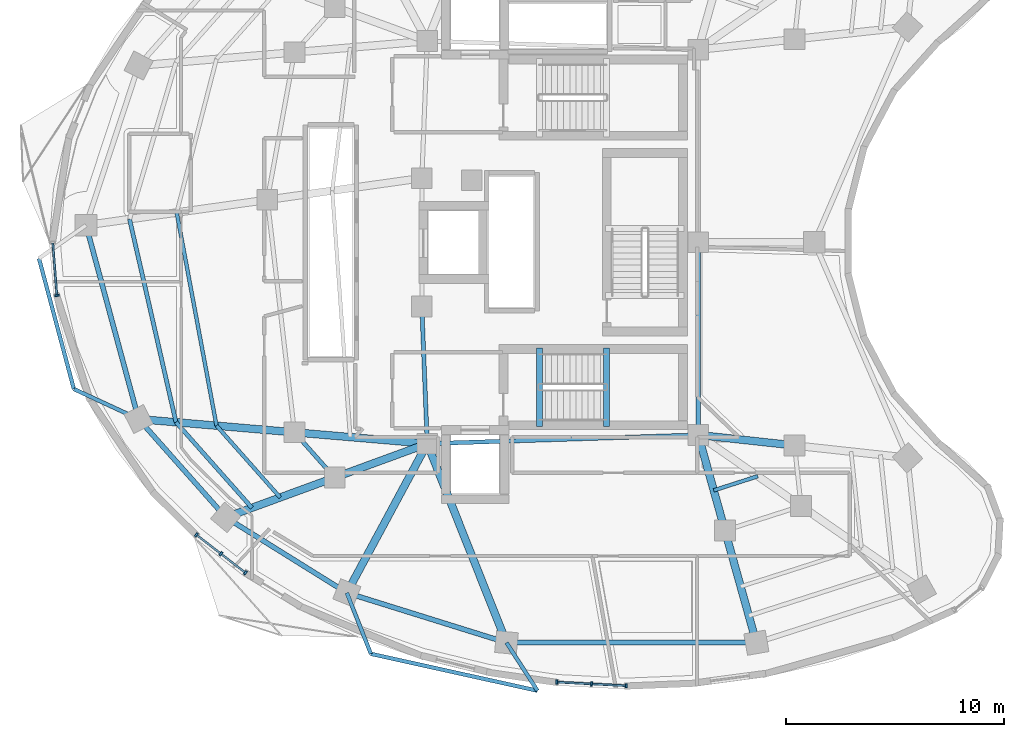
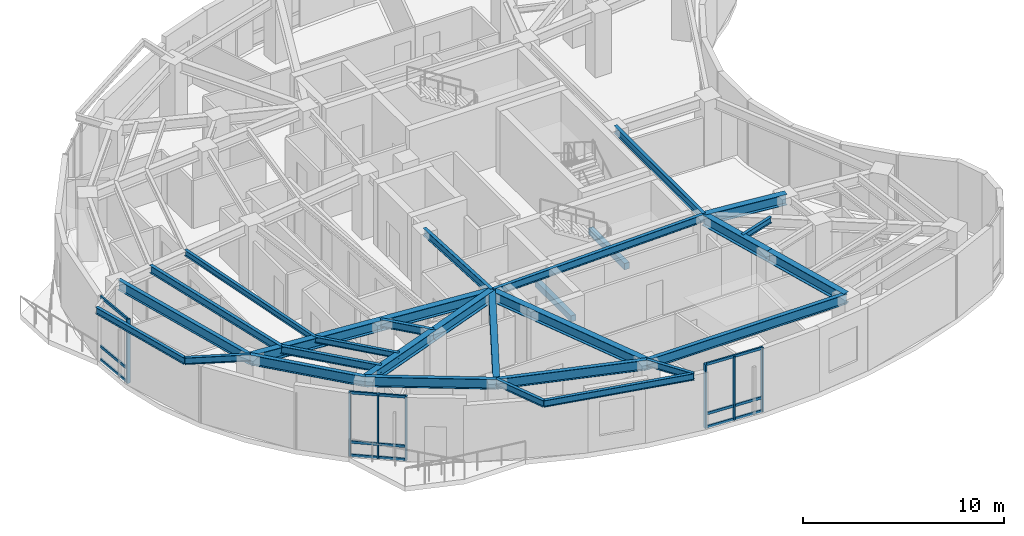
# One storey, part 2 of 13: 30 beams, 22 members, 3 elements without a shape of their own.
"""IFC4 building model written with IfcOpenShell, lengths in metres."""

import ifcopenshell
import ifcopenshell.guid

model = None  # the IFC model being written
_history = None  # IfcOwnerHistory: only IFC2X3 demands one
_inside = {}  # id of a spatial element -> (the spatial element, [elements in it])
_under = {}  # id of a project, library or spatial element -> (it, [spatial elements below it])
_declared = {}  # id of a project -> (the project, [libraries it declares])
_typed = {}  # id of a type object -> (the type object, [elements of that type])
_made_of = {}  # id of a material, layer set ... -> (it, [elements and type objects made of it])


def new_model(schema):
    """Start an empty IFC model of exactly this schema.

    Asked for "IFC4X3", IfcOpenShell would pick the latest addendum, in which some entities
    have other attributes; the version numbers below select the first issue.
    IFC2X3 requires an IfcOwnerHistory on every rooted entity: one is made here for all.
    """
    global model, _history
    if schema == "IFC4X3":
        model = ifcopenshell.file(schema_version=(4, 3, 0, 0))
    else:
        model = ifcopenshell.file(schema=schema)
    _inside.clear()
    _under.clear()
    _declared.clear()
    _typed.clear()
    _made_of.clear()
    _history = None
    if model.schema == "IFC2X3":
        org = make("IfcOrganization", Name="unknown")
        user = make(
            "IfcPersonAndOrganization",
            ThePerson=make("IfcPerson", FamilyName="unknown"),
            TheOrganization=org,
        )
        app = make(
            "IfcApplication",
            ApplicationDeveloper=org,
            Version="unknown",
            ApplicationFullName="unknown",
            ApplicationIdentifier="unknown",
        )
        _history = make(
            "IfcOwnerHistory",
            OwningUser=user,
            OwningApplication=app,
            ChangeAction="ADDED",
            CreationDate=0,
        )
    return model


def make(cls, **values):
    """One entity of the class cls with the attributes given. An attribute that is None is left unset."""
    return model.create_entity(
        cls, **{name: value for name, value in values.items() if value is not None}
    )


def rooted(cls, **values):
    """An entity with a GlobalId (a new one), such as an element, a storey or a relation."""
    return make(cls, GlobalId=ifcopenshell.guid.new(), OwnerHistory=_history, **values)


def si_unit(unit_type, name, prefix=None):
    """IfcSIUnit, for example si_unit("LENGTHUNIT", "METRE", prefix="MILLI")."""
    return make("IfcSIUnit", UnitType=unit_type, Prefix=prefix, Name=name)


def assignment(units):
    """IfcUnitAssignment: the units of a project."""
    return None if units is None else make("IfcUnitAssignment", Units=units)


def point(xyz):
    """IfcCartesianPoint."""
    return None if xyz is None else make("IfcCartesianPoint", Coordinates=xyz)


def direction(xyz):
    """IfcDirection."""
    return None if xyz is None else make("IfcDirection", DirectionRatios=xyz)


def frame(location, z_axis=None, x_axis=None):
    """IfcAxis2Placement3D, a coordinate frame: its origin and axes. An axis left out is left unset."""
    return make(
        "IfcAxis2Placement3D",
        Location=point(location),
        Axis=direction(z_axis),
        RefDirection=direction(x_axis),
    )


def frame_2d(location, x_axis=None):
    """IfcAxis2Placement2D, a coordinate frame in the plane: its origin and x axis."""
    return make(
        "IfcAxis2Placement2D", Location=point(location), RefDirection=direction(x_axis)
    )


def origin():
    """The frame at (0, 0, 0) with its axes left unset."""
    return frame((0.0, 0.0, 0.0))


def origin_2d():
    """The frame at (0, 0) in the plane with its x axis left unset."""
    return frame_2d((0.0, 0.0))


def place(relative_to, where):
    """IfcLocalPlacement: puts the frame where relative to a parent placement (None: the world)."""
    return make(
        "IfcLocalPlacement", PlacementRelTo=relative_to, RelativePlacement=where
    )


def context(
    kind, dimensions, precision=None, world=None, true_north=None, identifier=None
):
    """IfcGeometricRepresentationContext, for example the 3D "Model" context."""
    return make(
        "IfcGeometricRepresentationContext",
        ContextIdentifier=identifier,
        ContextType=kind,
        CoordinateSpaceDimension=dimensions,
        Precision=precision,
        WorldCoordinateSystem=world,
        TrueNorth=true_north,
    )


def subcontext(parent, identifier, kind, view, scale=None):
    """IfcGeometricRepresentationSubContext, for example "Body" below "Model"."""
    return make(
        "IfcGeometricRepresentationSubContext",
        ContextIdentifier=identifier,
        ContextType=kind,
        ParentContext=parent,
        TargetScale=scale,
        TargetView=view,
    )


def project(units=None, contexts=None):
    """IfcProject with its units and contexts."""
    return rooted(
        "IfcProject",
        Name="project",
        RepresentationContexts=contexts,
        UnitsInContext=assignment(units),
    )


def spatial(cls, under=None, at=None, **own):
    """A site, building, storey or space (cls), placed at a placement, below another one or the project."""
    s = rooted(cls, ObjectPlacement=at, **own)
    if under is not None:
        _under.setdefault(under.id(), (under, []))[1].append(s)
    return s


def profile(cls, at=None, kind="AREA", **sizes):
    """A parametric profile (cls). Its sizes go by their IFC names, for example OverallWidth=200.0."""
    return make(cls, ProfileType=kind, Position=at, **sizes)


def rectangle(**sizes):
    """IfcRectangleProfileDef."""
    return profile("IfcRectangleProfileDef", **sizes)


def i_section(**sizes):
    """IfcIShapeProfileDef."""
    return profile("IfcIShapeProfileDef", **sizes)


def extrude(swept, where, along, depth):
    """IfcExtrudedAreaSolid: the profile swept, set in the frame where, extruded along a direction by depth."""
    return make(
        "IfcExtrudedAreaSolid",
        SweptArea=swept,
        Position=where,
        ExtrudedDirection=direction(along),
        Depth=depth,
    )


def shape(context_of_items, identifier, shape_type, items):
    """IfcShapeRepresentation: the items that make up one representation, for example the "Body"."""
    return make(
        "IfcShapeRepresentation",
        ContextOfItems=context_of_items,
        RepresentationIdentifier=identifier,
        RepresentationType=shape_type,
        Items=items,
    )


def material(Name=None, Category=None):
    """IfcMaterial."""
    return make("IfcMaterial", Name=Name, Category=Category)


def layer(
    of_material, thickness, ventilated=None, Name=None, Category=None, Priority=None
):
    """IfcMaterialLayer: one layer of a wall or slab, of a material (None: an air gap)."""
    return make(
        "IfcMaterialLayer",
        Material=of_material,
        LayerThickness=thickness,
        IsVentilated=ventilated,
        Name=Name,
        Category=Category,
        Priority=Priority,
    )


def layer_set(layers, Name=None):
    """IfcMaterialLayerSet."""
    return make("IfcMaterialLayerSet", MaterialLayers=layers, LayerSetName=Name)


def material_profile(
    of_material, cross_section, Name=None, Category=None, Priority=None
):
    """IfcMaterialProfile: a cross section and its material."""
    return make(
        "IfcMaterialProfile",
        Name=Name,
        Material=of_material,
        Profile=cross_section,
        Priority=Priority,
        Category=Category,
    )


def profile_set(profiles, Name=None, composite=None):
    """IfcMaterialProfileSet."""
    return make(
        "IfcMaterialProfileSet",
        Name=Name,
        MaterialProfiles=profiles,
        CompositeProfile=composite,
    )


def made_of(thing, what):
    """Note that an element or type object is made of a material, layer set ...; save() writes the relation."""
    if what is not None:
        _made_of.setdefault(what.id(), (what, []))[1].append(thing)
    return thing


def type_object(cls, material=None, **own):
    """A type object (cls), such as IfcWallType, which elements share."""
    return made_of(rooted(cls, **own), material)


def element(
    cls,
    number,
    at=None,
    inside=None,
    cuts=None,
    type_object=None,
    material=None,
    context=None,
    identifier="Body",
    shape_type=None,
    held_by="IfcProductDefinitionShape",
    body=None,
    shapes=None,
    **own,
):
    """One element of the class cls, such as IfcWall. Its Tag is "e" and its number.

    at: its placement. inside: the storey or other place that contains it. cuts: it is an
    opening in that element (IfcRelVoidsElement). A single representation is given by context,
    identifier, shape_type and body (its items); several are given by shapes. held_by: the class
    of the entity that holds the representations. save() writes the other relations.
    """
    e = rooted(cls, Tag="e%d" % number, ObjectPlacement=at, **own)
    if body is not None:
        shapes = [shape(context, identifier, shape_type, body)]
    if shapes is not None:
        e.Representation = make(held_by, Representations=shapes)
    if inside is not None:
        _inside.setdefault(inside.id(), (inside, []))[1].append(e)
    if cuts is not None:
        rooted(
            "IfcRelVoidsElement", RelatingBuildingElement=cuts, RelatedOpeningElement=e
        )
    if type_object is not None:
        _typed.setdefault(type_object.id(), (type_object, []))[1].append(e)
    return made_of(e, material)


def aggregate(whole, parts):
    """IfcRelAggregates: a whole, such as a stair, and the parts it consists of."""
    return rooted("IfcRelAggregates", RelatingObject=whole, RelatedObjects=parts)


def save(model, path):
    """Write the relations noted so far, then the file.

    IfcRelAggregates (storeys below a building ...), IfcRelContainedInSpatialStructure (elements
    in a storey), IfcRelDefinesByType, IfcRelAssociatesMaterial and IfcRelDeclares: one each for
    every whole, place, type object, material and project.
    """
    for whole, parts in _under.values():
        aggregate(whole, parts)
    for where, things in _inside.values():
        rooted(
            "IfcRelContainedInSpatialStructure",
            RelatedElements=things,
            RelatingStructure=where,
        )
    for kind, things in _typed.values():
        rooted("IfcRelDefinesByType", RelatedObjects=things, RelatingType=kind)
    for what, things in _made_of.values():
        rooted("IfcRelAssociatesMaterial", RelatedObjects=things, RelatingMaterial=what)
    for by, libraries in _declared.values():
        rooted("IfcRelDeclares", RelatingContext=by, RelatedDefinitions=libraries)
    model.write(path)


model = new_model("IFC4")

# Units and contexts
model_context = context("Model", 3, precision=1e-05, world=origin(), true_north=direction((0.0, 1.0)))
body_context = subcontext(model_context, "Body", "Model", "MODEL_VIEW")
ifc_project = project(units=[si_unit("LENGTHUNIT", "METRE"), si_unit("AREAUNIT", "SQUARE_METRE"), si_unit("VOLUMEUNIT", "CUBIC_METRE"), si_unit("PLANEANGLEUNIT", "RADIAN"), si_unit("MASSUNIT", "GRAM", prefix="KILO")], contexts=[model_context])

# Site, building, storey
site_placement = place(None, origin())
site = spatial("IfcSite", under=ifc_project, at=site_placement, CompositionType="ELEMENT")
building_placement = place(site_placement, origin())
building = spatial("IfcBuilding", under=site, at=building_placement, Name="Korentha Bioscience Tower", CompositionType="ELEMENT")
storey_placement = place(building_placement, frame((0.0, 0.0, 154.199951171875)))
storey = spatial("IfcBuildingStorey", under=building, at=storey_placement, Name="L35", CompositionType="ELEMENT", Elevation=154.199951171875)

# Beams
ifc_material_1 = material(Name="Concrete C50", Category="concrete")
ifc_material_profile_1 = material_profile(ifc_material_1, rectangle(XDim=0.280029296875, YDim=0.3798828125, at=origin_2d()), Name="Concrete C50")
ifc_profile_set_1 = profile_set([ifc_material_profile_1], Name="Concrete C50 (ST-HB380)")
beam_type_1 = type_object("IfcBeamType", Name="Concrete Stair Header Beam RC 280x380", PredefinedType="BEAM", material=ifc_profile_set_1)
for number, where, z_axis, x_axis, name in (
    (1, (30.25, 18.550048828125, -0.18994140625), (0.0, 1.0, 0.0), (-1.0, 0.0, 0.0), "L35 ST-2 Concrete Stair Header Beam"),
    (2, (33.330078125, 18.550048828125, 1.91015625), (0.0, 1.0, 0.0), (-1.0, 0.0, 0.0), "L35 ST-2 Half-Landing Header Beam 1"),
):
    element("IfcBeam", number, at=place(storey_placement, frame(where, z_axis=z_axis, x_axis=x_axis)), inside=storey, type_object=beam_type_1, Name=name, PredefinedType="BEAM", context=body_context, shape_type="SweptSolid", body=[
        extrude(rectangle(XDim=0.280029296875, YDim=0.3798828125, at=origin_2d()), origin(), (0.0, 0.0, 1.0), 3.599853515625),
    ])
ifc_material_2 = material(Name="Steel S355", Category="steel")
ifc_material_profile_2 = material_profile(ifc_material_2, i_section(OverallWidth=0.18994140625, OverallDepth=0.45703125, WebThickness=0.009033203125, FlangeThickness=0.014404296875, at=origin_2d()), Name="Steel S355")
ifc_profile_set_2 = profile_set([ifc_material_profile_2], Name="Steel S355 (MB-460)")
beam_type_2 = type_object("IfcBeamType", Name="Mid-Ring Tie Girder W460x74", PredefinedType="BEAM", material=ifc_profile_set_2)
beam_1_placement = place(storey_placement, frame((18.99951171875, 18.27001953125, 3.671630859375), z_axis=(0.663512238321, -0.748165429299, 0.0), x_axis=(0.748165429299, 0.663512238321, 0.0)))
element("IfcBeam", 3, at=beam_1_placement, inside=storey, type_object=beam_type_2, Name="L35 Mid-Ring Tie Girder 08", PredefinedType="BEAM", context=body_context, shape_type="SweptSolid", body=[
    extrude(i_section(OverallWidth=0.18994140625, OverallDepth=0.45703125, WebThickness=0.009033203125, FlangeThickness=0.014404296875, at=origin_2d()), origin(), (0.0, 0.0, 1.0), 2.77734375),
])
beam_2_placement = place(storey_placement, frame((24.85009765625, 24.050048828125, 3.671630859375), z_axis=(0.039651025576, -0.999213588864, 0.0), x_axis=(0.999213588864, 0.039651025576, 0.0)))
element("IfcBeam", 4, at=beam_2_placement, inside=storey, type_object=beam_type_2, Name="L35 Core Ring Tie Girder 04", PredefinedType="BEAM", context=body_context, shape_type="SweptSolid", body=[
    extrude(i_section(OverallWidth=0.18994140625, OverallDepth=0.45703125, WebThickness=0.009033203125, FlangeThickness=0.014404296875, at=origin_2d()), origin(), (0.0, 0.0, 1.0), 6.304931640625),
])
beam_3_placement = place(storey_placement, frame((25.10009765625, 17.75, 3.671630859375), z_axis=(0.999484526071, 0.032104238723, 0.0), x_axis=(-0.032104238723, 0.999484526071, 0.0)))
element("IfcBeam", 5, at=beam_3_placement, inside=storey, type_object=beam_type_2, Name="L35 Core Ring Tie Girder 05", PredefinedType="BEAM", context=body_context, shape_type="SweptSolid", body=[
    extrude(i_section(OverallWidth=0.18994140625, OverallDepth=0.45703125, WebThickness=0.009033203125, FlangeThickness=0.014404296875, at=origin_2d()), origin(), (0.0, 0.0, 1.0), 12.456298828125),
])
beam_4_placement = place(storey_placement, frame((37.550048828125, 18.14990234375, 3.671630859375), z_axis=(0.0, 1.0, 0.0), x_axis=(-1.0, 0.0, 0.0)))
element("IfcBeam", 6, at=beam_4_placement, inside=storey, type_object=beam_type_2, Name="L35 Core Ring Tie Girder 06", PredefinedType="BEAM", context=body_context, shape_type="SweptSolid", body=[
    extrude(i_section(OverallWidth=0.18994140625, OverallDepth=0.45703125, WebThickness=0.009033203125, FlangeThickness=0.014404296875, at=origin_2d()), origin(), (0.0, 0.0, 1.0), 8.85009765625),
])

# Curtain wall, member
ifc_material_3 = material(Name="Thermally Broken Aluminium Frame", Category="aluminium")
ifc_layer = layer(ifc_material_3, 0.219970703125, Name="Thermally Broken Aluminium Frame")
ifc_layer_set = layer_set([ifc_layer], Name="Thermally Broken Aluminium Frame (CW-T1)")
curtain_wall_type = type_object("IfcCurtainWallType", Name="Standard Bioscience Lab Unitised Curtain Wall CW-T1", PredefinedType="USERDEFINED", material=ifc_layer_set)
curtain_wall_1_placement = place(storey_placement, origin())
curtain_wall_1 = element("IfcCurtainWall", 7, at=curtain_wall_1_placement, inside=storey, type_object=curtain_wall_type, Name="L35 Curtain Wall 19", ObjectType="UNITISED", PredefinedType="USERDEFINED")
ifc_material_4 = material(Name="Anodised Aluminium 6063-T6", Category="aluminium")
ifc_material_profile_3 = material_profile(ifc_material_4, rectangle(XDim=0.090087890625, YDim=0.199951171875, at=origin_2d()), Name="Anodised Aluminium 6063-T6")
ifc_profile_set_3 = profile_set([ifc_material_profile_3], Name="Anodised Aluminium 6063-T6 (CW-MUL)")
member_type_1 = type_object("IfcMemberType", Name="Mullion RECT 90x200", PredefinedType="MULLION", material=ifc_profile_set_3)
member_1_placement = place(storey_placement, frame((8.087890625, 24.5546875, 0.0), z_axis=(0.0, 0.0, 1.0), x_axis=(0.078030772566, -0.996950950916, 0.0)))
member_1 = element("IfcMember", 8, at=member_1_placement, type_object=member_type_1, Name="CW-L35-19 Mullion 2", PredefinedType="MULLION", context=body_context, shape_type="SweptSolid", body=[
    extrude(rectangle(XDim=0.090087890625, YDim=0.199951171875, at=origin_2d()), origin(), (0.0, 0.0, 1.0), 3.900146484375),
])

# Curtain wall, members
curtain_wall_2_placement = place(storey_placement, origin())
curtain_wall_2 = element("IfcCurtainWall", 9, at=curtain_wall_2_placement, inside=storey, type_object=curtain_wall_type, Name="L35 Curtain Wall 25", ObjectType="UNITISED", PredefinedType="USERDEFINED")
member_2_placement = place(storey_placement, frame((14.492431640625, 13.563232421875, 0.0), z_axis=(0.0, 0.0, 1.0), x_axis=(0.790546796919, -0.612401634454, 0.0)))
member_2 = element("IfcMember", 10, at=member_2_placement, type_object=member_type_1, Name="CW-L35-25 Mullion 1", PredefinedType="MULLION", context=body_context, shape_type="SweptSolid", body=[
    extrude(rectangle(XDim=0.090087890625, YDim=0.199951171875, at=origin_2d()), origin(), (0.0, 0.0, 1.0), 3.900146484375),
])
member_3_placement = place(storey_placement, frame((15.618896484375, 12.690673828125, 0.0), z_axis=(0.0, 0.0, 1.0), x_axis=(0.790546796919, -0.612401634454, 0.0)))
member_3 = element("IfcMember", 11, at=member_3_placement, type_object=member_type_1, Name="CW-L35-25 Mullion 2", PredefinedType="MULLION", context=body_context, shape_type="SweptSolid", body=[
    extrude(rectangle(XDim=0.090087890625, YDim=0.199951171875, at=origin_2d()), origin(), (0.0, 0.0, 1.0), 3.900146484375),
])
member_4_placement = place(storey_placement, frame((16.745361328125, 11.818115234375, 0.0), z_axis=(0.0, 0.0, 1.0), x_axis=(0.790546796919, -0.612401634454, 0.0)))
member_4 = element("IfcMember", 12, at=member_4_placement, type_object=member_type_1, Name="CW-L35-25 Mullion 3", PredefinedType="MULLION", context=body_context, shape_type="SweptSolid", body=[
    extrude(rectangle(XDim=0.090087890625, YDim=0.199951171875, at=origin_2d()), origin(), (0.0, 0.0, 1.0), 3.900146484375),
])

curtain_wall_3_placement = place(storey_placement, origin())
curtain_wall_3 = element("IfcCurtainWall", 13, at=curtain_wall_3_placement, inside=storey, type_object=curtain_wall_type, Name="L35 Curtain Wall 31", ObjectType="UNITISED", PredefinedType="USERDEFINED")
member_5_placement = place(storey_placement, frame((31.0517578125, 6.79541015625, 0.0), z_axis=(0.0, 0.0, 1.0), x_axis=(0.998637677307, -0.052180355139, 0.0)))
member_5 = element("IfcMember", 14, at=member_5_placement, type_object=member_type_1, Name="CW-L35-31 Mullion 1", PredefinedType="MULLION", context=body_context, shape_type="SweptSolid", body=[
    extrude(rectangle(XDim=0.090087890625, YDim=0.199951171875, at=origin_2d()), origin(), (0.0, 0.0, 1.0), 3.900146484375),
])
member_6_placement = place(storey_placement, frame((32.64794921875, 6.7119140625, 0.0), z_axis=(0.0, 0.0, 1.0), x_axis=(0.998637677307, -0.052180355139, 0.0)))
member_6 = element("IfcMember", 15, at=member_6_placement, type_object=member_type_1, Name="CW-L35-31 Mullion 2", PredefinedType="MULLION", context=body_context, shape_type="SweptSolid", body=[
    extrude(rectangle(XDim=0.090087890625, YDim=0.199951171875, at=origin_2d()), origin(), (0.0, 0.0, 1.0), 3.900146484375),
])
member_7_placement = place(storey_placement, frame((34.244140625, 6.628662109375, 0.0), z_axis=(0.0, 0.0, 1.0), x_axis=(0.998637677307, -0.052180355139, 0.0)))
member_7 = element("IfcMember", 16, at=member_7_placement, type_object=member_type_1, Name="CW-L35-31 Mullion 3", PredefinedType="MULLION", context=body_context, shape_type="SweptSolid", body=[
    extrude(rectangle(XDim=0.090087890625, YDim=0.199951171875, at=origin_2d()), origin(), (0.0, 0.0, 1.0), 3.900146484375),
])

# Beams
ifc_material_profile_4 = material_profile(ifc_material_2, i_section(OverallWidth=0.22802734375, OverallDepth=0.60791015625, WebThickness=0.01123046875, FlangeThickness=0.017333984375, at=origin_2d()), Name="Steel S355")
ifc_profile_set_4 = profile_set([ifc_material_profile_4], Name="Steel S355 (SB-610)")
beam_type_3 = type_object("IfcBeamType", Name="Perimeter Ring Spandrel Girder W610x113", PredefinedType="SPANDREL", material=ifc_profile_set_4)
beam_5_placement = place(storey_placement, frame((9.422607421875, 27.785888671875, 3.595947265625), z_axis=(0.261762629829, -0.965132284003, 0.0), x_axis=(0.965132284003, 0.261762629829, 0.0)))
element("IfcBeam", 17, at=beam_5_placement, inside=storey, type_object=beam_type_3, Name="L35 Perimeter Spandrel Girder 07", PredefinedType="SPANDREL", context=body_context, shape_type="SweptSolid", body=[
    extrude(i_section(OverallWidth=0.22802734375, OverallDepth=0.60791015625, WebThickness=0.01123046875, FlangeThickness=0.017333984375, at=origin_2d()), origin(), (0.0, 0.0, 1.0), 9.22705078125),
])
beam_6_placement = place(storey_placement, frame((11.837890625, 18.880615234375, 3.595947265625), z_axis=(0.663502544942, -0.748174025782, 0.0), x_axis=(0.748174025782, 0.663502544942, 0.0)))
element("IfcBeam", 18, at=beam_6_placement, inside=storey, type_object=beam_type_3, Name="L35 Perimeter Spandrel Girder 08", PredefinedType="SPANDREL", context=body_context, shape_type="SweptSolid", body=[
    extrude(i_section(OverallWidth=0.22802734375, OverallDepth=0.60791015625, WebThickness=0.01123046875, FlangeThickness=0.017333984375, at=origin_2d()), origin(), (0.0, 0.0, 1.0), 6.037841796875),
])
beam_7_placement = place(storey_placement, frame((15.843994140625, 14.36328125, 3.595947265625), z_axis=(0.848675740059, -0.528913497876, 0.0), x_axis=(0.528913497876, 0.848675740059, 0.0)))
element("IfcBeam", 19, at=beam_7_placement, inside=storey, type_object=beam_type_3, Name="L35 Perimeter Spandrel Girder 09", PredefinedType="SPANDREL", context=body_context, shape_type="SweptSolid", body=[
    extrude(i_section(OverallWidth=0.22802734375, OverallDepth=0.60791015625, WebThickness=0.01123046875, FlangeThickness=0.017333984375, at=origin_2d()), origin(), (0.0, 0.0, 1.0), 6.55322265625),
])
beam_8_placement = place(storey_placement, frame((21.405517578125, 10.897216796875, 3.595947265625), z_axis=(0.954638172607, -0.29776829818, 0.0), x_axis=(0.29776829818, 0.954638172607, 0.0)))
element("IfcBeam", 20, at=beam_8_placement, inside=storey, type_object=beam_type_3, Name="L35 Perimeter Spandrel Girder 10", PredefinedType="SPANDREL", context=body_context, shape_type="SweptSolid", body=[
    extrude(i_section(OverallWidth=0.22802734375, OverallDepth=0.60791015625, WebThickness=0.01123046875, FlangeThickness=0.017333984375, at=origin_2d()), origin(), (0.0, 0.0, 1.0), 7.682373046875),
])
beam_9_placement = place(storey_placement, frame((28.739501953125, 8.609619140625, 3.595947265625), z_axis=(0.99999988041, -0.000489059883, 0.0), x_axis=(0.000489059883, 0.99999988041, 0.0)))
element("IfcBeam", 21, at=beam_9_placement, inside=storey, type_object=beam_type_3, Name="L35 Perimeter Spandrel Girder 11", PredefinedType="SPANDREL", context=body_context, shape_type="SweptSolid", body=[
    extrude(i_section(OverallWidth=0.22802734375, OverallDepth=0.60791015625, WebThickness=0.01123046875, FlangeThickness=0.017333984375, at=origin_2d()), origin(), (0.0, 0.0, 1.0), 11.481689453125),
])
ifc_material_profile_5 = material_profile(ifc_material_2, i_section(OverallWidth=0.18994140625, OverallDepth=0.45703125, WebThickness=0.009033203125, FlangeThickness=0.014404296875, at=origin_2d()), Name="Steel S355")
ifc_profile_set_5 = profile_set([ifc_material_profile_5], Name="Steel S355 (RB-460)")
beam_type_4 = type_object("IfcBeamType", Name="Radial Laboratory Beam W460x74", PredefinedType="BEAM", material=ifc_profile_set_5)
beam_10_placement = place(storey_placement, frame((11.421875, 28.06640625, 3.671630859375), z_axis=(0.222990987745, -0.974820506239, 0.0), x_axis=(0.974820506239, 0.222990987745, 0.0)))
element("IfcBeam", 22, at=beam_10_placement, inside=storey, type_object=beam_type_4, Name="L35 Secondary Floor Beam JSTO-07", PredefinedType="BEAM", context=body_context, shape_type="SweptSolid", body=[
    extrude(i_section(OverallWidth=0.18994140625, OverallDepth=0.45703125, WebThickness=0.009033203125, FlangeThickness=0.014404296875, at=origin_2d()), origin(), (0.0, 0.0, 1.0), 9.5732421875),
])
beam_11_placement = place(storey_placement, frame((13.556640625, 18.734130859375, 3.671630859375), z_axis=(0.663495511182, -0.748180263467, 0.0), x_axis=(0.748180263467, 0.663495511182, 0.0)))
element("IfcBeam", 23, at=beam_11_placement, inside=storey, type_object=beam_type_4, Name="L35 Secondary Floor Beam JSTO-08", PredefinedType="BEAM", context=body_context, shape_type="SweptSolid", body=[
    extrude(i_section(OverallWidth=0.18994140625, OverallDepth=0.45703125, WebThickness=0.009033203125, FlangeThickness=0.014404296875, at=origin_2d()), origin(), (0.0, 0.0, 1.0), 5.255615234375),
])
ifc_material_profile_6 = material_profile(ifc_material_2, i_section(OverallWidth=0.35009765625, OverallDepth=0.64990234375, WebThickness=0.01611328125, FlangeThickness=0.02490234375, at=origin_2d()), Name="Steel S355")
ifc_profile_set_6 = profile_set([ifc_material_profile_6], Name="Steel S355 (RB-650)")
beam_type_5 = type_object("IfcBeamType", Name="Radial Laboratory Girder CVS 650x208", PredefinedType="BEAM", material=ifc_profile_set_6)
beam_12_placement = place(storey_placement, frame((25.10009765625, 17.75, 3.574951171875), z_axis=(-0.996386672138, 0.084932912264, 0.0), x_axis=(-0.084932912264, -0.996386672138, 0.0)))
element("IfcBeam", 24, at=beam_12_placement, inside=storey, type_object=beam_type_5, Name="L35 Inner Radial Girder 08", PredefinedType="BEAM", context=body_context, shape_type="SweptSolid", body=[
    extrude(i_section(OverallWidth=0.35009765625, OverallDepth=0.64990234375, WebThickness=0.01611328125, FlangeThickness=0.02490234375, at=origin_2d()), origin(), (0.0, 0.0, 1.0), 6.122802734375),
])
beam_13_placement = place(storey_placement, frame((18.99951171875, 18.27001953125, 3.574951171875), z_axis=(-0.996385111181, 0.084951222577, 0.0), x_axis=(-0.084951222577, -0.996385111181, 0.0)))
element("IfcBeam", 25, at=beam_13_placement, inside=storey, type_object=beam_type_5, Name="L35 Outer Radial Girder 08", PredefinedType="BEAM", context=body_context, shape_type="SweptSolid", body=[
    extrude(i_section(OverallWidth=0.35009765625, OverallDepth=0.64990234375, WebThickness=0.01611328125, FlangeThickness=0.02490234375, at=origin_2d()), origin(), (0.0, 0.0, 1.0), 7.1875),
])
beam_14_placement = place(storey_placement, frame((25.10009765625, 17.75, 3.574951171875), z_axis=(-0.939113952431, -0.343605856105, 0.0), x_axis=(0.343605856105, -0.939113952431, 0.0)))
element("IfcBeam", 26, at=beam_14_placement, inside=storey, type_object=beam_type_5, Name="L35 Inner Radial Girder 09", PredefinedType="BEAM", context=body_context, shape_type="SweptSolid", body=[
    extrude(i_section(OverallWidth=0.35009765625, OverallDepth=0.64990234375, WebThickness=0.01611328125, FlangeThickness=0.02490234375, at=origin_2d()), origin(), (0.0, 0.0, 1.0), 4.533935546875),
])
beam_15_placement = place(storey_placement, frame((20.84228515625, 16.192138671875, 3.574951171875), z_axis=(-0.939109855566, -0.343617053097, 0.0), x_axis=(0.343617053097, -0.939109855566, 0.0)))
element("IfcBeam", 27, at=beam_15_placement, inside=storey, type_object=beam_type_5, Name="L35 Outer Radial Girder 09", PredefinedType="BEAM", context=body_context, shape_type="SweptSolid", body=[
    extrude(i_section(OverallWidth=0.35009765625, OverallDepth=0.64990234375, WebThickness=0.01611328125, FlangeThickness=0.02490234375, at=origin_2d()), origin(), (0.0, 0.0, 1.0), 5.322265625),
])
beam_16_placement = place(storey_placement, frame((25.10009765625, 17.75, 3.574951171875), z_axis=(-0.474559790141, -0.880223270302, 0.0), x_axis=(0.880223270302, -0.474559790141, 0.0)))
element("IfcBeam", 28, at=beam_16_placement, inside=storey, type_object=beam_type_5, Name="L35 Radial Girder 10", PredefinedType="BEAM", context=body_context, shape_type="SweptSolid", body=[
    extrude(i_section(OverallWidth=0.35009765625, OverallDepth=0.64990234375, WebThickness=0.01611328125, FlangeThickness=0.02490234375, at=origin_2d()), origin(), (0.0, 0.0, 1.0), 7.785400390625),
])
beam_17_placement = place(storey_placement, frame((25.10009765625, 17.75, 3.574951171875), z_axis=(0.369922682955, -0.929062542909, 0.0), x_axis=(0.929062542909, 0.369922682955, 0.0)))
element("IfcBeam", 29, at=beam_17_placement, inside=storey, type_object=beam_type_5, Name="L35 Radial Girder 11", PredefinedType="BEAM", context=body_context, shape_type="SweptSolid", body=[
    extrude(i_section(OverallWidth=0.35009765625, OverallDepth=0.64990234375, WebThickness=0.01611328125, FlangeThickness=0.02490234375, at=origin_2d()), origin(), (0.0, 0.0, 1.0), 9.83837890625),
])
beam_18_placement = place(storey_placement, frame((37.550048828125, 18.14990234375, 3.574951171875), z_axis=(0.269477001654, -0.963006825303, 0.0), x_axis=(0.963006825303, 0.269477001654, 0.0)))
element("IfcBeam", 30, at=beam_18_placement, inside=storey, type_object=beam_type_5, Name="L35 Inner Radial Girder 12", PredefinedType="BEAM", context=body_context, shape_type="SweptSolid", body=[
    extrude(i_section(OverallWidth=0.35009765625, OverallDepth=0.64990234375, WebThickness=0.01611328125, FlangeThickness=0.02490234375, at=origin_2d()), origin(), (0.0, 0.0, 1.0), 4.559814453125),
])
beam_19_placement = place(storey_placement, frame((38.77880859375, 13.7587890625, 3.574951171875), z_axis=(0.269464128344, -0.963010427532, 0.0), x_axis=(0.963010427532, 0.269464128344, 0.0)))
element("IfcBeam", 31, at=beam_19_placement, inside=storey, type_object=beam_type_5, Name="L35 Outer Radial Girder 12", PredefinedType="BEAM", context=body_context, shape_type="SweptSolid", body=[
    extrude(i_section(OverallWidth=0.35009765625, OverallDepth=0.64990234375, WebThickness=0.01611328125, FlangeThickness=0.02490234375, at=origin_2d()), origin(), (0.0, 0.0, 1.0), 5.352783203125),
])
beam_20_placement = place(storey_placement, frame((37.550048828125, 18.14990234375, 3.574951171875), z_axis=(0.994118939953, -0.108293735857, 0.0), x_axis=(0.108293735857, 0.994118939953, 0.0)))
element("IfcBeam", 32, at=beam_20_placement, inside=storey, type_object=beam_type_5, Name="L35 Inner Radial Girder 14", PredefinedType="BEAM", context=body_context, shape_type="SweptSolid", body=[
    extrude(i_section(OverallWidth=0.35009765625, OverallDepth=0.64990234375, WebThickness=0.01611328125, FlangeThickness=0.02490234375, at=origin_2d()), origin(), (0.0, 0.0, 1.0), 4.4501953125),
])
ifc_material_profile_7 = material_profile(ifc_material_2, i_section(OverallWidth=0.1708984375, OverallDepth=0.35498046875, WebThickness=0.007080078125, FlangeThickness=0.01171875, at=origin_2d()), Name="Steel S355")
ifc_profile_set_7 = profile_set([ifc_material_profile_7], Name="Steel S355 (JB-360)")
beam_type_6 = type_object("IfcBeamType", Name="Secondary Laboratory Joist W360x51", PredefinedType="JOIST", material=ifc_profile_set_7)
beam_21_placement = place(storey_placement, frame((13.587890625, 28.3701171875, 3.72265625), z_axis=(0.183736713841, -0.982975493076, 0.0), x_axis=(0.982975493076, 0.183736713841, 0.0)))
element("IfcBeam", 33, at=beam_21_placement, inside=storey, type_object=beam_type_6, Name="L35 Secondary Floor Beam JST-07", PredefinedType="JOIST", context=body_context, shape_type="SweptSolid", body=[
    extrude(i_section(OverallWidth=0.1708984375, OverallDepth=0.35498046875, WebThickness=0.007080078125, FlangeThickness=0.01171875, at=origin_2d()), origin(), (0.0, 0.0, 1.0), 9.96435546875),
])
beam_22_placement = place(storey_placement, frame((15.418701171875, 18.575439453125, 3.72265625), z_axis=(0.663462598754, -0.748209449322, 0.0), x_axis=(0.748209449322, 0.663462598754, 0.0)))
element("IfcBeam", 34, at=beam_22_placement, inside=storey, type_object=beam_type_6, Name="L35 Secondary Floor Beam JST-08", PredefinedType="JOIST", context=body_context, shape_type="SweptSolid", body=[
    extrude(i_section(OverallWidth=0.1708984375, OverallDepth=0.35498046875, WebThickness=0.007080078125, FlangeThickness=0.01171875, at=origin_2d()), origin(), (0.0, 0.0, 1.0), 4.40771484375),
])
beam_23_placement = place(storey_placement, frame((38.2626953125, 15.60302734375, 3.72265625), z_axis=(0.952010669267, 0.306064838885, 0.0), x_axis=(-0.306064838885, 0.952010669267, 0.0)))
element("IfcBeam", 35, at=beam_23_placement, inside=storey, type_object=beam_type_6, Name="L35 Inner Bay Joist 12", PredefinedType="JOIST", context=body_context, shape_type="SweptSolid", body=[
    extrude(i_section(OverallWidth=0.1708984375, OverallDepth=0.35498046875, WebThickness=0.007080078125, FlangeThickness=0.01171875, at=origin_2d()), origin(), (0.0, 0.0, 1.0), 2.1298828125),
])
ifc_material_profile_8 = material_profile(ifc_material_2, i_section(OverallWidth=0.177978515625, OverallDepth=0.406982421875, WebThickness=0.0078125, FlangeThickness=0.0126953125, at=origin_2d()), Name="Steel S355")
ifc_profile_set_8 = profile_set([ifc_material_profile_8], Name="Steel S355 (CB-410)")
beam_type_7 = type_object("IfcBeamType", Name="Sun-Ledge Cantilever Beam W410x60", PredefinedType="BEAM", material=ifc_profile_set_8)
beam_24_placement = place(storey_placement, frame((11.837890625, 18.880615234375, 3.698486328125), z_axis=(-0.907251681669, 0.420588143091, 0.0), x_axis=(-0.420588143091, -0.907251681669, 0.0)))
element("IfcBeam", 36, at=beam_24_placement, inside=storey, type_object=beam_type_7, Name="L35 Balcony Cantilever Bracket B-L36-02", PredefinedType="BEAM", context=body_context, shape_type="SweptSolid", body=[
    extrude(i_section(OverallWidth=0.177978515625, OverallDepth=0.406982421875, WebThickness=0.0078125, FlangeThickness=0.0126953125, at=origin_2d()), origin(), (0.0, 0.0, 1.0), 3.27734375),
])
beam_25_placement = place(storey_placement, frame((7.26123046875, 26.26025390625, 3.698486328125), z_axis=(0.258105398274, -0.96611676488, 0.0), x_axis=(0.96611676488, 0.258105398274, 0.0)))
element("IfcBeam", 37, at=beam_25_placement, inside=storey, type_object=beam_type_7, Name="L35 Balcony Edge Trimmer Beam L36-02", PredefinedType="BEAM", context=body_context, shape_type="SweptSolid", body=[
    extrude(i_section(OverallWidth=0.177978515625, OverallDepth=0.406982421875, WebThickness=0.0078125, FlangeThickness=0.0126953125, at=origin_2d()), origin(), (0.0, 0.0, 1.0), 6.211669921875),
])
beam_26_placement = place(storey_placement, frame((21.405517578125, 10.897216796875, 3.698486328125), z_axis=(0.366329003488, -0.930485390107, 0.0), x_axis=(0.930485390107, 0.366329003488, 0.0)))
element("IfcBeam", 38, at=beam_26_placement, inside=storey, type_object=beam_type_7, Name="L35 Balcony Cantilever Bracket A-L36-03", PredefinedType="BEAM", context=body_context, shape_type="SweptSolid", body=[
    extrude(i_section(OverallWidth=0.177978515625, OverallDepth=0.406982421875, WebThickness=0.0078125, FlangeThickness=0.0126953125, at=origin_2d()), origin(), (0.0, 0.0, 1.0), 3.013671875),
])
beam_27_placement = place(storey_placement, frame((28.739501953125, 8.609619140625, 3.698486328125), z_axis=(0.541648853106, -0.84060485362, 0.0), x_axis=(0.84060485362, 0.541648853106, 0.0)))
element("IfcBeam", 39, at=beam_27_placement, inside=storey, type_object=beam_type_7, Name="L35 Balcony Cantilever Bracket B-L36-03", PredefinedType="BEAM", context=body_context, shape_type="SweptSolid", body=[
    extrude(i_section(OverallWidth=0.177978515625, OverallDepth=0.406982421875, WebThickness=0.0078125, FlangeThickness=0.0126953125, at=origin_2d()), origin(), (0.0, 0.0, 1.0), 2.629638671875),
])
beam_28_placement = place(storey_placement, frame((22.509521484375, 8.093017578125, 3.698486328125), z_axis=(0.976378662051, -0.21606644416, 0.0), x_axis=(0.21606644416, 0.976378662051, 0.0)))
element("IfcBeam", 40, at=beam_28_placement, inside=storey, type_object=beam_type_7, Name="L35 Balcony Edge Trimmer Beam L36-03", PredefinedType="BEAM", context=body_context, shape_type="SweptSolid", body=[
    extrude(i_section(OverallWidth=0.177978515625, OverallDepth=0.406982421875, WebThickness=0.0078125, FlangeThickness=0.0126953125, at=origin_2d()), origin(), (0.0, 0.0, 1.0), 7.83935546875),
])

# Member
ifc_material_profile_9 = material_profile(ifc_material_4, rectangle(XDim=0.090087890625, YDim=0.159912109375, at=origin_2d()), Name="Anodised Aluminium 6063-T6")
ifc_profile_set_9 = profile_set([ifc_material_profile_9], Name="Anodised Aluminium 6063-T6 (CW-TRN)")
member_type_2 = type_object("IfcMemberType", Name="Transom RECT 90x160", PredefinedType="USERDEFINED", material=ifc_profile_set_9)
member_8_placement = place(storey_placement, frame((7.8994140625, 26.962646484375, 0.045166015625), z_axis=(0.078074822466, -0.996947502177, 0.0), x_axis=(0.996947502177, 0.078074822466, 0.0)))
member_8 = element("IfcMember", 41, at=member_8_placement, type_object=member_type_2, Name="CW-L35-19 Bay 1 Transom 1", ObjectType="TRANSOM", PredefinedType="USERDEFINED", context=body_context, shape_type="SweptSolid", body=[
    extrude(rectangle(XDim=0.090087890625, YDim=0.159912109375, at=origin_2d()), origin(), (0.0, 0.0, 1.0), 2.370361328125),
])

member_9_placement = place(storey_placement, frame((7.8994140625, 26.962646484375, 0.85009765625), z_axis=(0.078074822466, -0.996947502177, 0.0), x_axis=(0.996947502177, 0.078074822466, 0.0)))
member_9 = element("IfcMember", 42, at=member_9_placement, type_object=member_type_2, Name="CW-L35-19 Bay 1 Transom 2", ObjectType="TRANSOM", PredefinedType="USERDEFINED", context=body_context, shape_type="SweptSolid", body=[
    extrude(rectangle(XDim=0.090087890625, YDim=0.159912109375, at=origin_2d()), origin(), (0.0, 0.0, 1.0), 2.370361328125),
])

member_10_placement = place(storey_placement, frame((7.8994140625, 26.962646484375, 3.85498046875), z_axis=(0.078074822466, -0.996947502177, 0.0), x_axis=(0.996947502177, 0.078074822466, 0.0)))
member_10 = element("IfcMember", 43, at=member_10_placement, type_object=member_type_2, Name="CW-L35-19 Bay 1 Transom 3", ObjectType="TRANSOM", PredefinedType="USERDEFINED", context=body_context, shape_type="SweptSolid", body=[
    extrude(rectangle(XDim=0.090087890625, YDim=0.159912109375, at=origin_2d()), origin(), (0.0, 0.0, 1.0), 2.370361328125),
])

aggregate(curtain_wall_1, [member_1, member_8, member_9, member_10])

member_11_placement = place(storey_placement, frame((14.528076171875, 13.535888671875, 0.045166015625), z_axis=(0.790463754503, -0.612508818563, 0.0), x_axis=(0.612508818563, 0.790463754503, 0.0)))
member_11 = element("IfcMember", 44, at=member_11_placement, type_object=member_type_2, Name="CW-L35-25 Bay 1 Transom 1", ObjectType="TRANSOM", PredefinedType="USERDEFINED", context=body_context, shape_type="SweptSolid", body=[
    extrude(rectangle(XDim=0.090087890625, YDim=0.159912109375, at=origin_2d()), origin(), (0.0, 0.0, 1.0), 1.3349609375),
])

member_12_placement = place(storey_placement, frame((14.528076171875, 13.535888671875, 0.85009765625), z_axis=(0.790463754503, -0.612508818563, 0.0), x_axis=(0.612508818563, 0.790463754503, 0.0)))
member_12 = element("IfcMember", 45, at=member_12_placement, type_object=member_type_2, Name="CW-L35-25 Bay 1 Transom 2", ObjectType="TRANSOM", PredefinedType="USERDEFINED", context=body_context, shape_type="SweptSolid", body=[
    extrude(rectangle(XDim=0.090087890625, YDim=0.159912109375, at=origin_2d()), origin(), (0.0, 0.0, 1.0), 1.3349609375),
])

member_13_placement = place(storey_placement, frame((14.528076171875, 13.535888671875, 3.85498046875), z_axis=(0.790463754503, -0.612508818563, 0.0), x_axis=(0.612508818563, 0.790463754503, 0.0)))
member_13 = element("IfcMember", 46, at=member_13_placement, type_object=member_type_2, Name="CW-L35-25 Bay 1 Transom 3", ObjectType="TRANSOM", PredefinedType="USERDEFINED", context=body_context, shape_type="SweptSolid", body=[
    extrude(rectangle(XDim=0.090087890625, YDim=0.159912109375, at=origin_2d()), origin(), (0.0, 0.0, 1.0), 1.3349609375),
])

member_14_placement = place(storey_placement, frame((15.654541015625, 12.6630859375, 0.045166015625), z_axis=(0.79055230676, -0.612394521756, 0.0), x_axis=(0.612394521756, 0.79055230676, 0.0)))
member_14 = element("IfcMember", 47, at=member_14_placement, type_object=member_type_2, Name="CW-L35-25 Bay 2 Transom 1", ObjectType="TRANSOM", PredefinedType="USERDEFINED", context=body_context, shape_type="SweptSolid", body=[
    extrude(rectangle(XDim=0.090087890625, YDim=0.159912109375, at=origin_2d()), origin(), (0.0, 0.0, 1.0), 1.334716796875),
])

member_15_placement = place(storey_placement, frame((15.654541015625, 12.6630859375, 0.85009765625), z_axis=(0.79055230676, -0.612394521756, 0.0), x_axis=(0.612394521756, 0.79055230676, 0.0)))
member_15 = element("IfcMember", 48, at=member_15_placement, type_object=member_type_2, Name="CW-L35-25 Bay 2 Transom 2", ObjectType="TRANSOM", PredefinedType="USERDEFINED", context=body_context, shape_type="SweptSolid", body=[
    extrude(rectangle(XDim=0.090087890625, YDim=0.159912109375, at=origin_2d()), origin(), (0.0, 0.0, 1.0), 1.334716796875),
])

member_16_placement = place(storey_placement, frame((15.654541015625, 12.6630859375, 3.85498046875), z_axis=(0.79055230676, -0.612394521756, 0.0), x_axis=(0.612394521756, 0.79055230676, 0.0)))
member_16 = element("IfcMember", 49, at=member_16_placement, type_object=member_type_2, Name="CW-L35-25 Bay 2 Transom 3", ObjectType="TRANSOM", PredefinedType="USERDEFINED", context=body_context, shape_type="SweptSolid", body=[
    extrude(rectangle(XDim=0.090087890625, YDim=0.159912109375, at=origin_2d()), origin(), (0.0, 0.0, 1.0), 1.334716796875),
])

aggregate(curtain_wall_2, [member_2, member_3, member_4, member_11, member_12, member_13, member_14, member_15, member_16])

member_17_placement = place(storey_placement, frame((31.0966796875, 6.793212890625, 0.045166015625), z_axis=(0.998632544532, -0.052278494633, 0.0), x_axis=(0.052278494633, 0.998632544532, 0.0)))
member_17 = element("IfcMember", 50, at=member_17_placement, type_object=member_type_2, Name="CW-L35-31 Bay 1 Transom 1", ObjectType="TRANSOM", PredefinedType="USERDEFINED", context=body_context, shape_type="SweptSolid", body=[
    extrude(rectangle(XDim=0.090087890625, YDim=0.159912109375, at=origin_2d()), origin(), (0.0, 0.0, 1.0), 1.50830078125),
])

member_18_placement = place(storey_placement, frame((31.0966796875, 6.793212890625, 0.85009765625), z_axis=(0.998632544532, -0.052278494633, 0.0), x_axis=(0.052278494633, 0.998632544532, 0.0)))
member_18 = element("IfcMember", 51, at=member_18_placement, type_object=member_type_2, Name="CW-L35-31 Bay 1 Transom 2", ObjectType="TRANSOM", PredefinedType="USERDEFINED", context=body_context, shape_type="SweptSolid", body=[
    extrude(rectangle(XDim=0.090087890625, YDim=0.159912109375, at=origin_2d()), origin(), (0.0, 0.0, 1.0), 1.50830078125),
])

member_19_placement = place(storey_placement, frame((31.0966796875, 6.793212890625, 3.85498046875), z_axis=(0.998632544532, -0.052278494633, 0.0), x_axis=(0.052278494633, 0.998632544532, 0.0)))
member_19 = element("IfcMember", 52, at=member_19_placement, type_object=member_type_2, Name="CW-L35-31 Bay 1 Transom 3", ObjectType="TRANSOM", PredefinedType="USERDEFINED", context=body_context, shape_type="SweptSolid", body=[
    extrude(rectangle(XDim=0.090087890625, YDim=0.159912109375, at=origin_2d()), origin(), (0.0, 0.0, 1.0), 1.50830078125),
])

member_20_placement = place(storey_placement, frame((32.69287109375, 6.709716796875, 0.045166015625), z_axis=(0.998640981416, -0.052117082012, 0.0), x_axis=(0.052117082012, 0.998640981416, 0.0)))
member_20 = element("IfcMember", 53, at=member_20_placement, type_object=member_type_2, Name="CW-L35-31 Bay 2 Transom 1", ObjectType="TRANSOM", PredefinedType="USERDEFINED", context=body_context, shape_type="SweptSolid", body=[
    extrude(rectangle(XDim=0.090087890625, YDim=0.159912109375, at=origin_2d()), origin(), (0.0, 0.0, 1.0), 1.50830078125),
])

member_21_placement = place(storey_placement, frame((32.69287109375, 6.709716796875, 0.85009765625), z_axis=(0.998640981416, -0.052117082012, 0.0), x_axis=(0.052117082012, 0.998640981416, 0.0)))
member_21 = element("IfcMember", 54, at=member_21_placement, type_object=member_type_2, Name="CW-L35-31 Bay 2 Transom 2", ObjectType="TRANSOM", PredefinedType="USERDEFINED", context=body_context, shape_type="SweptSolid", body=[
    extrude(rectangle(XDim=0.090087890625, YDim=0.159912109375, at=origin_2d()), origin(), (0.0, 0.0, 1.0), 1.50830078125),
])

member_22_placement = place(storey_placement, frame((32.69287109375, 6.709716796875, 3.85498046875), z_axis=(0.998640981416, -0.052117082012, 0.0), x_axis=(0.052117082012, 0.998640981416, 0.0)))
member_22 = element("IfcMember", 55, at=member_22_placement, type_object=member_type_2, Name="CW-L35-31 Bay 2 Transom 3", ObjectType="TRANSOM", PredefinedType="USERDEFINED", context=body_context, shape_type="SweptSolid", body=[
    extrude(rectangle(XDim=0.090087890625, YDim=0.159912109375, at=origin_2d()), origin(), (0.0, 0.0, 1.0), 1.50830078125),
])

aggregate(curtain_wall_3, [member_5, member_6, member_7, member_17, member_18, member_19, member_20, member_21, member_22])

save(model, "model.ifc")
